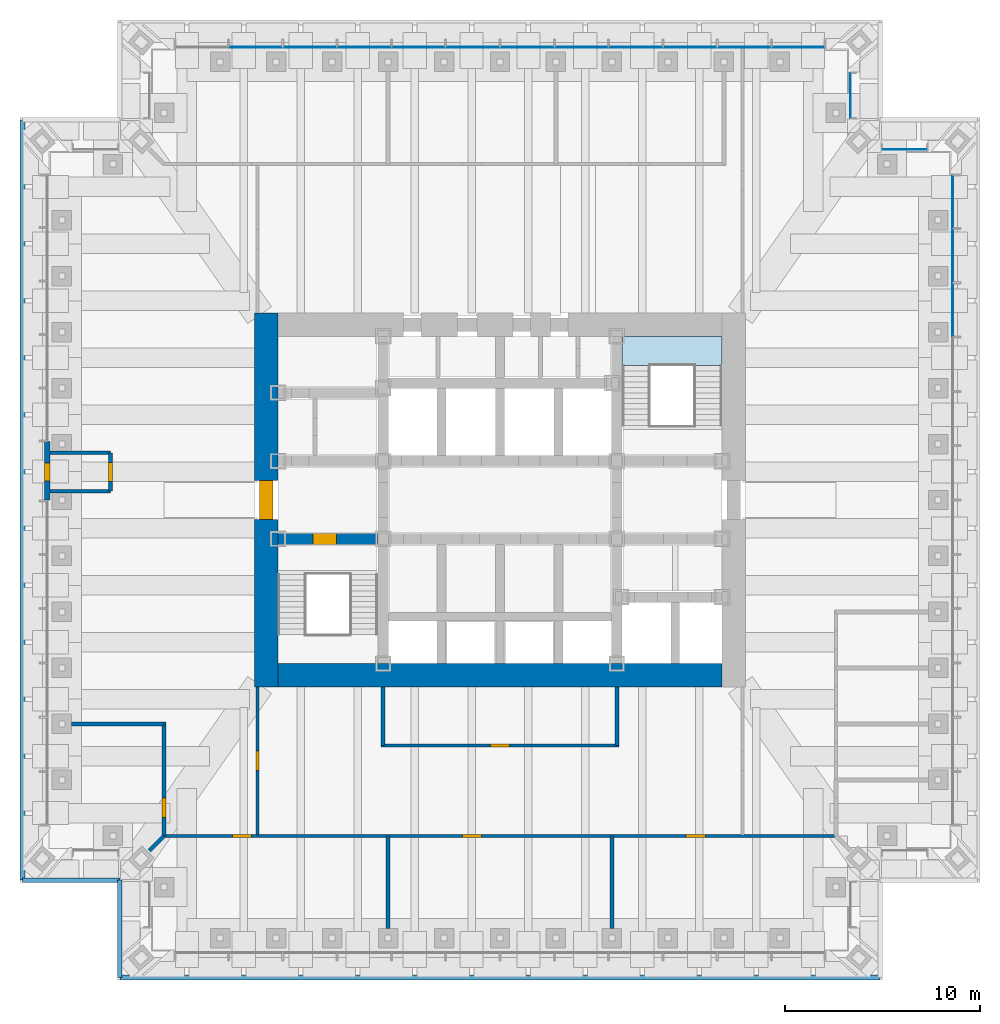
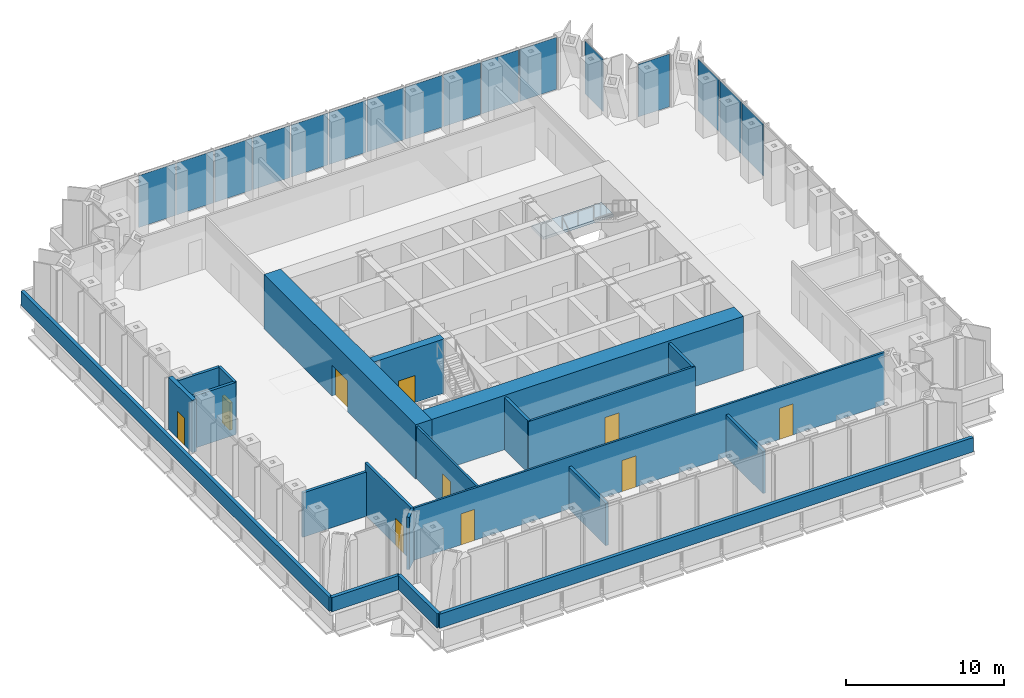
# One storey, part 8 of 13: 21 walls, 16 plates, 10 doors, 1 slab, 10 openings, 5 elements without a shape of their own.
"""IFC4 building model written with IfcOpenShell, lengths in metres."""

from ifc_helpers import new_model, si_unit, direction, frame, frame_2d, origin, origin_2d, place, context, subcontext, project, spatial, polyline, rectangle, outline, extrude, material, layer, layer_set, type_object, element, fill, aggregate, save


model = new_model("IFC4")

# Units and contexts
model_context = context("Model", 3, precision=1e-05, world=origin(), true_north=direction((0.0, 1.0)))
body_context = subcontext(model_context, "Body", "Model", "MODEL_VIEW")
ifc_project = project(units=[si_unit("LENGTHUNIT", "METRE"), si_unit("AREAUNIT", "SQUARE_METRE"), si_unit("VOLUMEUNIT", "CUBIC_METRE"), si_unit("PLANEANGLEUNIT", "RADIAN"), si_unit("MASSUNIT", "GRAM", prefix="KILO")], contexts=[model_context])

# Site, building, storey
site_placement = place(None, origin())
site = spatial("IfcSite", under=ifc_project, at=site_placement, CompositionType="ELEMENT")
building_placement = place(site_placement, origin())
building = spatial("IfcBuilding", under=site, at=building_placement, Name="Daluyong Arena Tower", CompositionType="ELEMENT")
storey_placement = place(building_placement, frame((0.0, 0.0, 108.10009765625)))
storey = spatial("IfcBuildingStorey", under=building, at=storey_placement, Name="L23", CompositionType="ELEMENT", Elevation=108.10009765625)

# Curtain wall, plates
ifc_material_1 = material(Name="Bronze anodised aluminium and glass", Category="aluminium")
curtain_wall_type_1 = type_object("IfcCurtainWallType", Name="Curtain wall CW2", PredefinedType="USERDEFINED", material=ifc_material_1)
curtain_wall_1_placement = place(storey_placement, origin())
curtain_wall_1 = element("IfcCurtainWall", 1, at=curtain_wall_1_placement, inside=storey, type_object=curtain_wall_type_1, Name="curtain wall L23 E", ObjectType="UNITISED CURTAIN WALL", PredefinedType="USERDEFINED")
ifc_material_2 = material(Name="Tinted double glazed unit", Category="glass")
ifc_layer_1 = layer(ifc_material_2, 0.031982421875)
ifc_layer_set_1 = layer_set([ifc_layer_1], Name="Tinted double glazed unit")
plate_type_1 = type_object("IfcPlateType", Name="CW2 panel 32", PredefinedType="CURTAIN_PANEL", material=ifc_layer_set_1)
plate_1_placement = place(storey_placement, frame((79.25, 89.76171875, 0.0), z_axis=(0.0, 0.0, 1.0), x_axis=(0.0, 1.0, 0.0)))
plate_1 = element("IfcPlate", 2, at=plate_1_placement, type_object=plate_type_1, Name="curtain wall L23 E panel 10", PredefinedType="CURTAIN_PANEL", context=body_context, shape_type="SweptSolid", body=[
    extrude(rectangle(XDim=2.708984375, YDim=0.031982421875, at=origin_2d()), origin(), (0.0, 0.0, 1.0), 4.02001953125),
])
plate_2_placement = place(storey_placement, frame((79.25, 92.55078125, 0.0), z_axis=(0.0, 0.0, 1.0), x_axis=(0.0, 1.0, 0.0)))
plate_2 = element("IfcPlate", 3, at=plate_2_placement, type_object=plate_type_1, Name="curtain wall L23 E panel 11", PredefinedType="CURTAIN_PANEL", context=body_context, shape_type="SweptSolid", body=[
    extrude(rectangle(XDim=2.708984375, YDim=0.031982421875, at=origin_2d()), origin(), (0.0, 0.0, 1.0), 4.02001953125),
])
plate_3_placement = place(storey_placement, frame((79.25, 95.320068359375, 0.0), z_axis=(0.0, 0.0, 1.0), x_axis=(0.0, 1.0, 0.0)))
plate_3 = element("IfcPlate", 4, at=plate_3_placement, type_object=plate_type_1, Name="curtain wall L23 E panel 12", PredefinedType="CURTAIN_PANEL", context=body_context, shape_type="SweptSolid", body=[
    extrude(rectangle(XDim=2.669189453125, YDim=0.031982421875, at=origin_2d()), origin(), (0.0, 0.0, 1.0), 4.02001953125),
])
aggregate(curtain_wall_1, [plate_1, plate_2, plate_3])

curtain_wall_2_placement = place(storey_placement, origin())
curtain_wall_2 = element("IfcCurtainWall", 5, at=curtain_wall_2_placement, inside=storey, type_object=curtain_wall_type_1, Name="curtain wall L23 N", ObjectType="UNITISED CURTAIN WALL", PredefinedType="USERDEFINED")
plate_4_placement = place(storey_placement, frame((71.320068359375, 103.25, 0.0), z_axis=(0.0, 0.0, 1.0), x_axis=(-1.0, 0.0, 0.0)))
plate_4 = element("IfcPlate", 6, at=plate_4_placement, type_object=plate_type_1, Name="curtain wall L23 N panel 1", PredefinedType="CURTAIN_PANEL", context=body_context, shape_type="SweptSolid", body=[
    extrude(rectangle(XDim=2.669189453125, YDim=0.031982421875, at=origin_2d()), origin(), (0.0, 0.0, 1.0), 4.02001953125),
])
plate_5_placement = place(storey_placement, frame((68.55078125, 103.25, 0.0), z_axis=(0.0, 0.0, 1.0), x_axis=(-1.0, 0.0, 0.0)))
plate_5 = element("IfcPlate", 7, at=plate_5_placement, type_object=plate_type_1, Name="curtain wall L23 N panel 2", PredefinedType="CURTAIN_PANEL", context=body_context, shape_type="SweptSolid", body=[
    extrude(rectangle(XDim=2.708984375, YDim=0.031982421875, at=origin_2d()), origin(), (0.0, 0.0, 1.0), 4.02001953125),
])
plate_6_placement = place(storey_placement, frame((65.76171875, 103.25, 0.0), z_axis=(0.0, 0.0, 1.0), x_axis=(-1.0, 0.0, 0.0)))
plate_6 = element("IfcPlate", 8, at=plate_6_placement, type_object=plate_type_1, Name="curtain wall L23 N panel 3", PredefinedType="CURTAIN_PANEL", context=body_context, shape_type="SweptSolid", body=[
    extrude(rectangle(XDim=2.708984375, YDim=0.031982421875, at=origin_2d()), origin(), (0.0, 0.0, 1.0), 4.02001953125),
])
plate_7_placement = place(storey_placement, frame((62.97265625, 103.25, 0.0), z_axis=(0.0, 0.0, 1.0), x_axis=(-1.0, 0.0, 0.0)))
plate_7 = element("IfcPlate", 9, at=plate_7_placement, type_object=plate_type_1, Name="curtain wall L23 N panel 4", PredefinedType="CURTAIN_PANEL", context=body_context, shape_type="SweptSolid", body=[
    extrude(rectangle(XDim=2.708984375, YDim=0.031982421875, at=origin_2d()), origin(), (0.0, 0.0, 1.0), 4.02001953125),
])
plate_8_placement = place(storey_placement, frame((60.18359375, 103.25, 0.0), z_axis=(0.0, 0.0, 1.0), x_axis=(-1.0, 0.0, 0.0)))
plate_8 = element("IfcPlate", 10, at=plate_8_placement, type_object=plate_type_1, Name="curtain wall L23 N panel 5", PredefinedType="CURTAIN_PANEL", context=body_context, shape_type="SweptSolid", body=[
    extrude(rectangle(XDim=2.708984375, YDim=0.031982421875, at=origin_2d()), origin(), (0.0, 0.0, 1.0), 4.02001953125),
])
plate_9_placement = place(storey_placement, frame((57.39453125, 103.25, 0.0), z_axis=(0.0, 0.0, 1.0), x_axis=(-1.0, 0.0, 0.0)))
plate_9 = element("IfcPlate", 11, at=plate_9_placement, type_object=plate_type_1, Name="curtain wall L23 N panel 6", PredefinedType="CURTAIN_PANEL", context=body_context, shape_type="SweptSolid", body=[
    extrude(rectangle(XDim=2.708984375, YDim=0.031982421875, at=origin_2d()), origin(), (0.0, 0.0, 1.0), 4.02001953125),
])
plate_10_placement = place(storey_placement, frame((54.60546875, 103.25, 0.0), z_axis=(0.0, 0.0, 1.0), x_axis=(-1.0, 0.0, 0.0)))
plate_10 = element("IfcPlate", 12, at=plate_10_placement, type_object=plate_type_1, Name="curtain wall L23 N panel 7", PredefinedType="CURTAIN_PANEL", context=body_context, shape_type="SweptSolid", body=[
    extrude(rectangle(XDim=2.708984375, YDim=0.031982421875, at=origin_2d()), origin(), (0.0, 0.0, 1.0), 4.02001953125),
])
plate_11_placement = place(storey_placement, frame((51.81640625, 103.25, 0.0), z_axis=(0.0, 0.0, 1.0), x_axis=(-1.0, 0.0, 0.0)))
plate_11 = element("IfcPlate", 13, at=plate_11_placement, type_object=plate_type_1, Name="curtain wall L23 N panel 8", PredefinedType="CURTAIN_PANEL", context=body_context, shape_type="SweptSolid", body=[
    extrude(rectangle(XDim=2.708984375, YDim=0.031982421875, at=origin_2d()), origin(), (0.0, 0.0, 1.0), 4.02001953125),
])
plate_12_placement = place(storey_placement, frame((49.02734375, 103.25, 0.0), z_axis=(0.0, 0.0, 1.0), x_axis=(-1.0, 0.0, 0.0)))
plate_12 = element("IfcPlate", 14, at=plate_12_placement, type_object=plate_type_1, Name="curtain wall L23 N panel 9", PredefinedType="CURTAIN_PANEL", context=body_context, shape_type="SweptSolid", body=[
    extrude(rectangle(XDim=2.708984375, YDim=0.031982421875, at=origin_2d()), origin(), (0.0, 0.0, 1.0), 4.02001953125),
])
plate_13_placement = place(storey_placement, frame((46.23828125, 103.25, 0.0), z_axis=(0.0, 0.0, 1.0), x_axis=(-1.0, 0.0, 0.0)))
plate_13 = element("IfcPlate", 15, at=plate_13_placement, type_object=plate_type_1, Name="curtain wall L23 N panel 10", PredefinedType="CURTAIN_PANEL", context=body_context, shape_type="SweptSolid", body=[
    extrude(rectangle(XDim=2.708984375, YDim=0.031982421875, at=origin_2d()), origin(), (0.0, 0.0, 1.0), 4.02001953125),
])
plate_14_placement = place(storey_placement, frame((43.44921875, 103.25, 0.0), z_axis=(0.0, 0.0, 1.0), x_axis=(-1.0, 0.0, 0.0)))
plate_14 = element("IfcPlate", 16, at=plate_14_placement, type_object=plate_type_1, Name="curtain wall L23 N panel 11", PredefinedType="CURTAIN_PANEL", context=body_context, shape_type="SweptSolid", body=[
    extrude(rectangle(XDim=2.708984375, YDim=0.031982421875, at=origin_2d()), origin(), (0.0, 0.0, 1.0), 4.02001953125),
])
aggregate(curtain_wall_2, [plate_4, plate_5, plate_6, plate_7, plate_8, plate_9, plate_10, plate_11, plate_12, plate_13, plate_14])

# Curtain wall, plate
ifc_material_3 = material(Name="Bronze anodised aluminium and glass", Category="aluminium")
curtain_wall_type_2 = type_object("IfcCurtainWallType", Name="Curtain wall CW7", PredefinedType="USERDEFINED", material=ifc_material_3)
curtain_wall_3_placement = place(storey_placement, origin())
curtain_wall_3 = element("IfcCurtainWall", 17, at=curtain_wall_3_placement, inside=storey, type_object=curtain_wall_type_2, Name="curtain wall L23 NE-N", ObjectType="UNITISED CURTAIN WALL", PredefinedType="USERDEFINED")
ifc_material_4 = material(Name="Tinted double glazed unit", Category="glass")
ifc_layer_2 = layer(ifc_material_4, 0.028076171875)
ifc_layer_set_2 = layer_set([ifc_layer_2], Name="Tinted double glazed unit")
plate_type_2 = type_object("IfcPlateType", Name="CW7 panel 28", PredefinedType="CURTAIN_PANEL", material=ifc_layer_set_2)
plate_15_placement = place(storey_placement, frame((76.771484375, 98.0, -0.000244140625), z_axis=(0.0, 0.0, 1.0), x_axis=(-1.0, 0.0, 0.0)))
plate_15 = element("IfcPlate", 18, at=plate_15_placement, type_object=plate_type_2, Name="curtain wall L23 NE-N panel 1", PredefinedType="CURTAIN_PANEL", context=body_context, shape_type="SweptSolid", body=[
    extrude(rectangle(XDim=2.27880859375, YDim=0.028076171875, at=origin_2d()), origin(), (0.0, 0.0, 1.0), 4.080078125),
])
aggregate(curtain_wall_3, [plate_15])

curtain_wall_4_placement = place(storey_placement, origin())
curtain_wall_4 = element("IfcCurtainWall", 19, at=curtain_wall_4_placement, inside=storey, type_object=curtain_wall_type_2, Name="curtain wall L23 NE-E", ObjectType="UNITISED CURTAIN WALL", PredefinedType="USERDEFINED")
plate_16_placement = place(storey_placement, frame((74.0, 100.771484375, -0.000244140625), z_axis=(0.0, 0.0, 1.0), x_axis=(0.0, 1.0, 0.0)))
plate_16 = element("IfcPlate", 20, at=plate_16_placement, type_object=plate_type_2, Name="curtain wall L23 NE-E panel 1", PredefinedType="CURTAIN_PANEL", context=body_context, shape_type="SweptSolid", body=[
    extrude(rectangle(XDim=2.27880859375, YDim=0.028076171875, at=origin_2d()), origin(), (0.0, 0.0, 1.0), 4.080078125),
])
aggregate(curtain_wall_4, [plate_16])

# Stair, slab
ifc_material_5 = material(Name="Concrete fc' 35 MPa", Category="concrete")
stair_type = type_object("IfcStairType", Name="Core exit stair", PredefinedType="HALF_TURN_STAIR", material=ifc_material_5)
stair_placement = place(storey_placement, origin())
stair = element("IfcStair", 21, at=stair_placement, inside=storey, type_object=stair_type, Name="exit stair B L23", PredefinedType="HALF_TURN_STAIR")
ifc_material_6 = material(Name="Concrete fc' 35 MPa", Category="concrete")
ifc_layer_3 = layer(ifc_material_6, 0.199951171875)
ifc_layer_set_3 = layer_set([ifc_layer_3], Name="Concrete fc' 35 MPa")
slab_type = type_object("IfcSlabType", Name="Stair landing 200", PredefinedType="LANDING", material=ifc_layer_set_3)
slab_placement = place(storey_placement, frame((0.0, 0.0, 1.89990234375)))
slab = element("IfcSlab", 22, at=slab_placement, type_object=slab_type, Name="STB landing 1", PredefinedType="LANDING", context=body_context, shape_type="SweptSolid", body=[
    extrude(outline(polyline([(62.27490234375, 86.905029296875), (67.39990234375, 86.905029296875), (67.39990234375, 88.39990234375), (62.27490234375, 88.39990234375), (62.27490234375, 86.905029296875)])), origin(), (0.0, 0.0, 1.0), 0.199951171875),
])
aggregate(stair, [slab])

# Wall, opening, door
ifc_material_7 = material(Name="Concrete fc' 45 MPa", Category="concrete")
ifc_layer_4 = layer(ifc_material_7, 0.550048828125)
ifc_layer_set_4 = layer_set([ifc_layer_4], Name="Concrete fc' 45 MPa")
wall_type_1 = type_object("IfcWallType", Name="Core inner wall 550", PredefinedType="SHEAR", material=ifc_layer_set_4)
wall_1_placement = place(storey_placement, frame((44.60009765625, 78.0, 0.0), z_axis=(0.0, 0.0, 1.0), x_axis=(1.0, 0.0, 0.0)))
wall_1 = element("IfcWall", 23, at=wall_1_placement, inside=storey, type_object=wall_type_1, Name="core inner wall at L23", PredefinedType="SHEAR", context=body_context, shape_type="SweptSolid", body=[
    extrude(rectangle(XDim=5.125, YDim=0.550048828125, at=frame_2d((2.5625, 0.0))), origin(), (0.0, 0.0, 1.0), 4.199951171875),
])
opening_1_placement = place(wall_1_placement, frame((1.800048828125, 0.0, 0.0)))
opening_1 = element("IfcOpeningElement", 24, at=opening_1_placement, cuts=wall_1, Name="Opening 23013", PredefinedType="OPENING", context=body_context, shape_type="SweptSolid", body=[
    extrude(rectangle(XDim=1.199951171875, YDim=2.10009765625, at=frame_2d((0.60009765625, 1.050048828125))), frame((0.0, 0.284912109375, 0.0), z_axis=(0.0, -1.0, 0.0), x_axis=(1.0, 0.0, 0.0)), (0.0, 0.0, 1.0), 0.570068359375),
])
ifc_material_8 = material(Name="Steel door, fire rated", Category="steel")
door_type_1 = type_object("IfcDoorType", Name="Stair door 1200", OperationType="SINGLE_SWING_LEFT", PredefinedType="DOOR", material=ifc_material_8)
door_1_placement = place(opening_1_placement, origin())
door_1 = element("IfcDoor", 25, at=door_1_placement, inside=storey, type_object=door_type_1, Name="stair A door 23013", OperationType="SINGLE_SWING_LEFT", OverallHeight=2.10009765625, OverallWidth=1.199951171875, PredefinedType="DOOR", context=body_context, shape_type="SweptSolid", body=[
    extrude(rectangle(XDim=1.199951171875, YDim=2.10009765625, at=frame_2d((0.60009765625, 1.050048828125))), frame((0.0, 0.27490234375, 0.0), z_axis=(0.0, -1.0, 0.0), x_axis=(1.0, 0.0, 0.0)), (0.0, 0.0, 1.0), 0.549560546875),
])
fill(opening_1, door_1)

ifc_material_9 = material(Name="Concrete fc' 60 MPa", Category="concrete")
ifc_layer_5 = layer(ifc_material_9, 1.199951171875)
ifc_layer_set_5 = layer_set([ifc_layer_5], Name="Concrete fc' 60 MPa")
wall_type_2 = type_object("IfcWallType", Name="Core wall 1200", PredefinedType="SHEAR", material=ifc_layer_set_5)
wall_2_placement = place(storey_placement, frame((44.0, 70.39990234375, 0.0), z_axis=(0.0, 0.0, 1.0), x_axis=(0.0, 1.0, 0.0)))
wall_2 = element("IfcWall", 26, at=wall_2_placement, inside=storey, type_object=wall_type_2, Name="core wall at L23", PredefinedType="SHEAR", context=body_context, shape_type="SweptSolid", body=[
    extrude(rectangle(XDim=19.2001953125, YDim=1.199951171875, at=frame_2d((9.60009765625, 0.0))), origin(), (0.0, 0.0, 1.0), 4.199951171875),
])
opening_2_placement = place(wall_2_placement, frame((8.60009765625, 0.0, 0.0)))
opening_2 = element("IfcOpeningElement", 27, at=opening_2_placement, cuts=wall_2, Name="Opening 23015", PredefinedType="OPENING", context=body_context, shape_type="SweptSolid", body=[
    extrude(rectangle(XDim=2.0, YDim=2.39990234375, at=frame_2d((1.0, 1.199951171875))), frame((0.0, 0.60986328125, 0.0), z_axis=(0.0, -1.0, 0.0), x_axis=(1.0, 0.0, 0.0)), (0.0, 0.0, 1.0), 1.219970703125),
])
ifc_material_10 = material(Name="Steel door, fire rated", Category="steel")
door_type_2 = type_object("IfcDoorType", Name="Core lobby double door 2000", OperationType="DOUBLE_DOOR_SINGLE_SWING", PredefinedType="DOOR", material=ifc_material_10)
door_2_placement = place(opening_2_placement, origin())
door_2 = element("IfcDoor", 28, at=door_2_placement, inside=storey, type_object=door_type_2, Name="core lobby door west 23015", OperationType="DOUBLE_DOOR_SINGLE_SWING", OverallHeight=2.39990234375, OverallWidth=2.0, PredefinedType="DOOR", context=body_context, shape_type="SweptSolid", body=[
    extrude(rectangle(XDim=2.0, YDim=2.39990234375, at=frame_2d((1.0, 1.199951171875))), frame((0.0, 0.35009765625, 0.0), z_axis=(0.0, -1.0, 0.0), x_axis=(1.0, 0.0, 0.0)), (0.0, 0.0, 1.0), 0.699951171875),
])
fill(opening_2, door_2)

# Wall
wall_3_placement = place(storey_placement, frame((44.60009765625, 71.0, 0.0), z_axis=(0.0, 0.0, 1.0), x_axis=(1.0, 0.0, 0.0)))
element("IfcWall", 29, at=wall_3_placement, inside=storey, type_object=wall_type_2, Name="core wall at L23", PredefinedType="SHEAR", context=body_context, shape_type="SweptSolid", body=[
    extrude(rectangle(XDim=22.7998046875, YDim=1.199951171875, at=frame_2d((11.39990234375, 0.0))), origin(), (0.0, 0.0, 1.0), 4.199951171875),
])

# Wall, openings, doors
ifc_material_11 = material(Name="Glazed aluminium partition", Category="aluminium")
ifc_layer_6 = layer(ifc_material_11, 0.14990234375)
ifc_layer_set_6 = layer_set([ifc_layer_6], Name="Glazed aluminium partition")
wall_type_3 = type_object("IfcWallType", Name="Glazed partition 150", PredefinedType="PARTITIONING", material=ifc_layer_set_6)
wall_4_placement = place(storey_placement, frame((38.75, 62.75, 0.0), z_axis=(0.0, 0.0, 1.0), x_axis=(1.0, 0.0, 0.0)))
wall_4 = element("IfcWall", 30, at=wall_4_placement, inside=storey, type_object=wall_type_3, Name="glazed partition at L23", PredefinedType="PARTITIONING", context=body_context, shape_type="SweptSolid", body=[
    extrude(rectangle(XDim=34.5, YDim=0.14990234375, at=frame_2d((17.25, 0.0))), origin(), (0.0, 0.0, 1.0), 4.039794921875),
])
opening_3_placement = place(wall_4_placement, frame((3.5, 0.0, 0.0)))
opening_3 = element("IfcOpeningElement", 31, at=opening_3_placement, cuts=wall_4, Name="Opening 23026", PredefinedType="OPENING", context=body_context, shape_type="SweptSolid", body=[
    extrude(rectangle(XDim=1.0, YDim=2.39990234375, at=frame_2d((0.5, 1.199951171875))), frame((0.0, 0.0849609375, 0.0), z_axis=(0.0, -1.0, 0.0), x_axis=(1.0, 0.0, 0.0)), (0.0, 0.0, 1.0), 0.169921875),
])
opening_4_placement = place(wall_4_placement, frame((15.3125, 0.0, 0.0)))
opening_4 = element("IfcOpeningElement", 32, at=opening_4_placement, cuts=wall_4, Name="Opening 23027", PredefinedType="OPENING", context=body_context, shape_type="SweptSolid", body=[
    extrude(rectangle(XDim=1.0, YDim=2.39990234375, at=frame_2d((0.5, 1.199951171875))), frame((0.0, 0.0849609375, 0.0), z_axis=(0.0, -1.0, 0.0), x_axis=(1.0, 0.0, 0.0)), (0.0, 0.0, 1.0), 0.169921875),
])
opening_5_placement = place(wall_4_placement, frame((26.8125, 0.0, 0.0)))
opening_5 = element("IfcOpeningElement", 33, at=opening_5_placement, cuts=wall_4, Name="Opening 23028", PredefinedType="OPENING", context=body_context, shape_type="SweptSolid", body=[
    extrude(rectangle(XDim=1.0, YDim=2.39990234375, at=frame_2d((0.5, 1.199951171875))), frame((0.0, 0.0849609375, 0.0), z_axis=(0.0, -1.0, 0.0), x_axis=(1.0, 0.0, 0.0)), (0.0, 0.0, 1.0), 0.169921875),
])
ifc_material_12 = material(Name="Glazed aluminium door", Category="aluminium")
door_type_3 = type_object("IfcDoorType", Name="Meeting room glazed door 1000", OperationType="SINGLE_SWING_RIGHT", PredefinedType="DOOR", material=ifc_material_12)
door_3_placement = place(opening_3_placement, origin())
door_3 = element("IfcDoor", 34, at=door_3_placement, inside=storey, type_object=door_type_3, Name="meeting room door 23026", OperationType="SINGLE_SWING_RIGHT", OverallHeight=2.39990234375, OverallWidth=1.0, PredefinedType="DOOR", context=body_context, shape_type="SweptSolid", body=[
    extrude(rectangle(XDim=1.0, YDim=2.39990234375, at=frame_2d((0.5, 1.199951171875))), frame((0.0, 0.07470703125, 0.0), z_axis=(0.0, -1.0, 0.0), x_axis=(1.0, 0.0, 0.0)), (0.0, 0.0, 1.0), 0.1494140625),
])
fill(opening_3, door_3)
door_4_placement = place(opening_4_placement, origin())
door_4 = element("IfcDoor", 35, at=door_4_placement, inside=storey, type_object=door_type_3, Name="meeting room door 23027", OperationType="SINGLE_SWING_RIGHT", OverallHeight=2.39990234375, OverallWidth=1.0, PredefinedType="DOOR", context=body_context, shape_type="SweptSolid", body=[
    extrude(rectangle(XDim=1.0, YDim=2.39990234375, at=frame_2d((0.5, 1.199951171875))), frame((0.0, 0.07470703125, 0.0), z_axis=(0.0, -1.0, 0.0), x_axis=(1.0, 0.0, 0.0)), (0.0, 0.0, 1.0), 0.1494140625),
])
fill(opening_4, door_4)
door_5_placement = place(opening_5_placement, origin())
door_5 = element("IfcDoor", 36, at=door_5_placement, inside=storey, type_object=door_type_3, Name="meeting room door 23028", OperationType="SINGLE_SWING_RIGHT", OverallHeight=2.39990234375, OverallWidth=1.0, PredefinedType="DOOR", context=body_context, shape_type="SweptSolid", body=[
    extrude(rectangle(XDim=1.0, YDim=2.39990234375, at=frame_2d((0.5, 1.199951171875))), frame((0.0, 0.07470703125, 0.0), z_axis=(0.0, -1.0, 0.0), x_axis=(1.0, 0.0, 0.0)), (0.0, 0.0, 1.0), 0.1494140625),
])
fill(opening_5, door_5)

# Wall, opening, door
wall_5_placement = place(storey_placement, frame((49.89990234375, 67.39990234375, 0.0), z_axis=(0.0, 0.0, 1.0), x_axis=(1.0, 0.0, 0.0)))
wall_5 = element("IfcWall", 37, at=wall_5_placement, inside=storey, type_object=wall_type_3, Name="glazed partition at L23", PredefinedType="PARTITIONING", context=body_context, shape_type="SweptSolid", body=[
    extrude(rectangle(XDim=12.2001953125, YDim=0.14990234375, at=frame_2d((6.10009765625, 0.0))), origin(), (0.0, 0.0, 1.0), 4.039794921875),
])
opening_6_placement = place(wall_5_placement, frame((5.60009765625, 0.0, 0.0)))
opening_6 = element("IfcOpeningElement", 38, at=opening_6_placement, cuts=wall_5, Name="Opening 23037", PredefinedType="OPENING", context=body_context, shape_type="SweptSolid", body=[
    extrude(rectangle(XDim=1.0, YDim=2.39990234375, at=frame_2d((0.5, 1.199951171875))), frame((0.0, 0.0849609375, 0.0), z_axis=(0.0, -1.0, 0.0), x_axis=(1.0, 0.0, 0.0)), (0.0, 0.0, 1.0), 0.169921875),
])
door_6_placement = place(opening_6_placement, origin())
door_6 = element("IfcDoor", 39, at=door_6_placement, inside=storey, type_object=door_type_3, Name="business lounge door 23037", OperationType="SINGLE_SWING_RIGHT", OverallHeight=2.39990234375, OverallWidth=1.0, PredefinedType="DOOR", context=body_context, shape_type="SweptSolid", body=[
    extrude(rectangle(XDim=1.0, YDim=2.39990234375, at=frame_2d((0.5, 1.199951171875))), frame((0.0, 0.07470703125, 0.0), z_axis=(0.0, -1.0, 0.0), x_axis=(1.0, 0.0, 0.0)), (0.0, 0.0, 1.0), 0.1494140625),
])
fill(opening_6, door_6)

wall_6_placement = place(storey_placement, frame((43.550048828125, 62.800048828125, 0.0), z_axis=(0.0, 0.0, 1.0), x_axis=(0.0, 1.0, 0.0)))
wall_6 = element("IfcWall", 40, at=wall_6_placement, inside=storey, type_object=wall_type_3, Name="glazed partition at L23", PredefinedType="PARTITIONING", context=body_context, shape_type="SweptSolid", body=[
    extrude(rectangle(XDim=7.599853515625, YDim=0.14990234375, at=frame_2d((3.7998046875, 0.0))), origin(), (0.0, 0.0, 1.0), 4.039794921875),
])
opening_7_placement = place(wall_6_placement, frame((3.300048828125, 0.0, 0.0)))
opening_7 = element("IfcOpeningElement", 41, at=opening_7_placement, cuts=wall_6, Name="Opening 23038", PredefinedType="OPENING", context=body_context, shape_type="SweptSolid", body=[
    extrude(rectangle(XDim=1.0, YDim=2.39990234375, at=frame_2d((0.5, 1.199951171875))), frame((0.0, 0.0849609375, 0.0), z_axis=(0.0, -1.0, 0.0), x_axis=(1.0, 0.0, 0.0)), (0.0, 0.0, 1.0), 0.169921875),
])
door_7_placement = place(opening_7_placement, origin())
door_7 = element("IfcDoor", 42, at=door_7_placement, inside=storey, type_object=door_type_3, Name="team area screen door 23038", OperationType="SINGLE_SWING_RIGHT", OverallHeight=2.39990234375, OverallWidth=1.0, PredefinedType="DOOR", context=body_context, shape_type="SweptSolid", body=[
    extrude(rectangle(XDim=1.0, YDim=2.39990234375, at=frame_2d((0.5, 1.199951171875))), frame((0.0, 0.07470703125, 0.0), z_axis=(0.0, -1.0, 0.0), x_axis=(1.0, 0.0, 0.0)), (0.0, 0.0, 1.0), 0.1494140625),
])
fill(opening_7, door_7)

# Walls
ifc_material_13 = material(Name="Concrete block partition", Category="concrete")
ifc_layer_7 = layer(ifc_material_13, 0.199951171875)
ifc_layer_set_7 = layer_set([ifc_layer_7], Name="Concrete block partition")
wall_type_4 = type_object("IfcWallType", Name="Partition 200", PredefinedType="PARTITIONING", material=ifc_layer_set_7)
for number, where, z_axis, x_axis, name in (
    (43, (50.25, 58.0, 0.0), (0.0, 0.0, 1.0), (0.0, 1.0, 0.0), "partition at L23"),
    (44, (61.75, 58.0, 0.0), (0.0, 0.0, 1.0), (0.0, 1.0, 0.0), "partition at L23"),
):
    element("IfcWall", number, at=place(storey_placement, frame(where, z_axis=z_axis, x_axis=x_axis)), inside=storey, type_object=wall_type_4, Name=name, PredefinedType="PARTITIONING", context=body_context, shape_type="SweptSolid", body=[
        extrude(rectangle(XDim=4.75, YDim=0.199951171875, at=frame_2d((2.375, 0.0))), origin(), (0.0, 0.0, 1.0), 3.27783203125),
    ])
wall_7_placement = place(storey_placement, frame((34.0, 68.5, 0.0), z_axis=(0.0, 0.0, 1.0), x_axis=(1.0, 0.0, 0.0)))
element("IfcWall", 45, at=wall_7_placement, inside=storey, type_object=wall_type_4, Name="partition at L23", PredefinedType="PARTITIONING", context=body_context, shape_type="SweptSolid", body=[
    extrude(rectangle(XDim=4.75, YDim=0.199951171875, at=frame_2d((2.375, 0.0))), origin(), (0.0, 0.0, 1.0), 3.427734375),
])
for number, where, z_axis, x_axis, name in (
    (46, (50.0, 67.39990234375, 0.0), (0.0, 0.0, 1.0), (0.0, 1.0, 0.0), "partition at L23"),
    (47, (62.0, 67.39990234375, 0.0), (0.0, 0.0, 1.0), (0.0, 1.0, 0.0), "partition at L23"),
):
    element("IfcWall", number, at=place(storey_placement, frame(where, z_axis=z_axis, x_axis=x_axis)), inside=storey, type_object=wall_type_4, Name=name, PredefinedType="PARTITIONING", context=body_context, shape_type="SweptSolid", body=[
        extrude(rectangle(XDim=3.0, YDim=0.199951171875, at=frame_2d((1.5, 0.0))), origin(), (0.0, 0.0, 1.0), 4.039794921875),
    ])

# Wall, opening, door
wall_8_placement = place(storey_placement, frame((38.75, 62.75, 0.0), z_axis=(0.0, 0.0, 1.0), x_axis=(0.0, 1.0, 0.0)))
wall_8 = element("IfcWall", 48, at=wall_8_placement, inside=storey, type_object=wall_type_4, Name="partition at L23", PredefinedType="PARTITIONING", context=body_context, shape_type="SweptSolid", body=[
    extrude(rectangle(XDim=5.85009765625, YDim=0.199951171875, at=frame_2d((2.925048828125, 0.0))), origin(), (0.0, 0.0, 1.0), 4.039794921875),
])
opening_8_placement = place(wall_8_placement, frame((0.9375, 0.0, 0.0)))
opening_8 = element("IfcOpeningElement", 49, at=opening_8_placement, cuts=wall_8, Name="Opening 23036", PredefinedType="OPENING", context=body_context, shape_type="SweptSolid", body=[
    extrude(rectangle(XDim=1.0, YDim=2.10009765625, at=frame_2d((0.5, 1.050048828125))), frame((0.0, 0.10986328125, 0.0), z_axis=(0.0, -1.0, 0.0), x_axis=(1.0, 0.0, 0.0)), (0.0, 0.0, 1.0), 0.219970703125),
])
ifc_material_14 = material(Name="Timber door", Category="wood")
door_type_4 = type_object("IfcDoorType", Name="Room door 1000", OperationType="SINGLE_SWING_LEFT", PredefinedType="DOOR", material=ifc_material_14)
door_8_placement = place(opening_8_placement, origin())
door_8 = element("IfcDoor", 50, at=door_8_placement, inside=storey, type_object=door_type_4, Name="pantry door 23036", OperationType="SINGLE_SWING_LEFT", OverallHeight=2.10009765625, OverallWidth=1.0, PredefinedType="DOOR", context=body_context, shape_type="SweptSolid", body=[
    extrude(rectangle(XDim=1.0, YDim=2.10009765625, at=frame_2d((0.5, 1.050048828125))), frame((0.0, 0.099609375, 0.0), z_axis=(0.0, -1.0, 0.0), x_axis=(1.0, 0.0, 0.0)), (0.0, 0.0, 1.0), 0.199462890625),
])
fill(opening_8, door_8)

# Wall
wall_9_placement = place(storey_placement, frame((38.75, 62.75, 0.0), z_axis=(0.0, 0.0, 1.0), x_axis=(-0.707106781187, -0.707106781187, 0.0)))
element("IfcWall", 51, at=wall_9_placement, inside=storey, type_object=wall_type_4, Name="partition at L23", PredefinedType="PARTITIONING", context=body_context, shape_type="SweptSolid", body=[
    extrude(rectangle(XDim=1.060546875, YDim=0.199951171875, at=frame_2d((0.5302734375, 0.0))), origin(), (0.0, 0.0, 1.0), 4.039794921875),
])

# Wall, opening, door
wall_10_placement = place(storey_placement, frame((36.0, 80.449951171875, 0.0), z_axis=(0.0, 0.0, 1.0), x_axis=(0.0, 1.0, 0.0)))
wall_10 = element("IfcWall", 52, at=wall_10_placement, inside=storey, type_object=wall_type_4, Name="facade maintenance store partition at L23", PredefinedType="PARTITIONING", context=body_context, shape_type="SweptSolid", body=[
    extrude(rectangle(XDim=1.97509765625, YDim=0.199951171875, at=frame_2d((0.987548828125, 0.0))), origin(), (0.0, 0.0, 1.0), 4.039794921875),
])
opening_9_placement = place(wall_10_placement, frame((0.487548828125, 0.0, 0.0)))
opening_9 = element("IfcOpeningElement", 53, at=opening_9_placement, cuts=wall_10, Name="Opening 23042", PredefinedType="OPENING", context=body_context, shape_type="SweptSolid", body=[
    extrude(rectangle(XDim=1.0, YDim=2.10009765625, at=frame_2d((0.5, 1.050048828125))), frame((0.0, 0.10986328125, 0.0), z_axis=(0.0, -1.0, 0.0), x_axis=(1.0, 0.0, 0.0)), (0.0, 0.0, 1.0), 0.219970703125),
])
door_9_placement = place(opening_9_placement, origin())
door_9 = element("IfcDoor", 54, at=door_9_placement, inside=storey, type_object=door_type_4, Name="facade maintenance store door 23042", OperationType="SINGLE_SWING_LEFT", OverallHeight=2.10009765625, OverallWidth=1.0, PredefinedType="DOOR", context=body_context, shape_type="SweptSolid", body=[
    extrude(rectangle(XDim=1.0, YDim=2.10009765625, at=frame_2d((0.5, 1.050048828125))), frame((0.0, 0.099609375, 0.0), z_axis=(0.0, -1.0, 0.0), x_axis=(1.0, 0.0, 0.0)), (0.0, 0.0, 1.0), 0.199462890625),
])
fill(opening_9, door_9)

# Walls
for number, where, z_axis, x_axis, name in (
    (55, (32.89990234375, 80.449951171875, 0.0), (0.0, 0.0, 1.0), (1.0, 0.0, 0.0), "facade maintenance store partition at L23"),
    (56, (32.89990234375, 82.425048828125, 0.0), (0.0, 0.0, 1.0), (1.0, 0.0, 0.0), "facade maintenance store partition at L23"),
):
    element("IfcWall", number, at=place(storey_placement, frame(where, z_axis=z_axis, x_axis=x_axis)), inside=storey, type_object=wall_type_4, Name=name, PredefinedType="PARTITIONING", context=body_context, shape_type="SweptSolid", body=[
        extrude(rectangle(XDim=3.10009765625, YDim=0.199951171875, at=frame_2d((1.550048828125, 0.0))), origin(), (0.0, 0.0, 1.0), 4.039794921875),
    ])

# Wall, opening, door
ifc_material_15 = material(Name="Insulated bronze aluminium panel wall", Category="aluminium")
ifc_layer_8 = layer(ifc_material_15, 0.300048828125)
ifc_layer_set_8 = layer_set([ifc_layer_8], Name="Insulated bronze aluminium panel wall")
wall_type_5 = type_object("IfcWallType", Name="Roof access panel wall 300", PredefinedType="SOLIDWALL", material=ifc_layer_set_8)
wall_11_placement = place(storey_placement, frame((32.75, 83.0, 0.0), z_axis=(0.0, 0.0, 1.0), x_axis=(0.0, -1.0, 0.0)))
wall_11 = element("IfcWall", 57, at=wall_11_placement, inside=storey, type_object=wall_type_5, Name="roof access panel wall L23 W", PredefinedType="SOLIDWALL", context=body_context, shape_type="SweptSolid", body=[
    extrude(rectangle(XDim=3.0, YDim=0.300048828125, at=frame_2d((1.5, 0.0))), origin(), (0.0, 0.0, 1.0), 4.039794921875),
])
opening_10_placement = place(wall_11_placement, frame((1.112548828125, 0.0, 0.0)))
opening_10 = element("IfcOpeningElement", 58, at=opening_10_placement, cuts=wall_11, Name="Opening 23043", PredefinedType="OPENING", context=body_context, shape_type="SweptSolid", body=[
    extrude(rectangle(XDim=0.89990234375, YDim=2.10009765625, at=frame_2d((0.449951171875, 1.050048828125))), frame((0.0, 0.159912109375, 0.0), z_axis=(0.0, -1.0, 0.0), x_axis=(1.0, 0.0, 0.0)), (0.0, 0.0, 1.0), 0.320068359375),
])
ifc_material_16 = material(Name="Insulated steel door, weather sealed", Category="steel")
door_type_5 = type_object("IfcDoorType", Name="Roof access door 900", OperationType="SINGLE_SWING_RIGHT", PredefinedType="DOOR", material=ifc_material_16)
door_10_placement = place(opening_10_placement, frame((0.89990234375, 0.0, 0.0), z_axis=(0.0, 0.0, 1.0), x_axis=(-1.0, 0.0, 0.0)))
door_10 = element("IfcDoor", 59, at=door_10_placement, inside=storey, type_object=door_type_5, Name="maintenance roof access door 23043", OperationType="SINGLE_SWING_RIGHT", OverallHeight=2.10009765625, OverallWidth=0.89990234375, PredefinedType="DOOR", context=body_context, shape_type="SweptSolid", body=[
    extrude(rectangle(XDim=0.89990234375, YDim=2.10009765625, at=frame_2d((0.449951171875, 1.050048828125))), frame((0.0, 0.14990234375, 0.0), z_axis=(0.0, -1.0, 0.0), x_axis=(1.0, 0.0, 0.0)), (0.0, 0.0, 1.0), 0.299560546875),
])
fill(opening_10, door_10)

# Walls
ifc_material_17 = material(Name="Precast concrete fc' 45 MPa", Category="concrete")
ifc_layer_9 = layer(ifc_material_17, 0.25)
ifc_layer_set_9 = layer_set([ifc_layer_9], Name="Precast concrete fc' 45 MPa")
wall_type_6 = type_object("IfcWallType", Name="Setback roof parapet 250", PredefinedType="PARAPET", material=ifc_layer_set_9)
for number, where, z_axis, x_axis, name in (
    (60, (36.47509765625, 55.47509765625, 0.0), (0.0, 0.0, 1.0), (0.0, 1.0, 0.0), "setback roof parapet L23"),
    (61, (36.47509765625, 60.47509765625, 0.0), (0.0, 0.0, 1.0), (-1.0, 0.0, 0.0), "setback roof parapet L23"),
):
    element("IfcWall", number, at=place(storey_placement, frame(where, z_axis=z_axis, x_axis=x_axis)), inside=storey, type_object=wall_type_6, Name=name, PredefinedType="PARAPET", context=body_context, shape_type="SweptSolid", body=[
        extrude(rectangle(XDim=5.0, YDim=0.25, at=frame_2d((2.5, 0.0))), origin(), (0.0, 0.0, 1.0), 1.099853515625),
    ])
for number, where, z_axis, x_axis, name in (
    (62, (31.47509765625, 60.47509765625, 0.0), (0.0, 0.0, 1.0), (0.0, 1.0, 0.0), "setback roof parapet L23"),
    (63, (75.52490234375, 55.47509765625, 0.0), (0.0, 0.0, 1.0), (-1.0, 0.0, 0.0), "setback roof parapet L23"),
):
    element("IfcWall", number, at=place(storey_placement, frame(where, z_axis=z_axis, x_axis=x_axis)), inside=storey, type_object=wall_type_6, Name=name, PredefinedType="PARAPET", context=body_context, shape_type="SweptSolid", body=[
        extrude(rectangle(XDim=39.0498046875, YDim=0.25, at=frame_2d((19.52490234375, 0.0))), origin(), (0.0, 0.0, 1.0), 1.099853515625),
    ])

save(model, "model.ifc")
